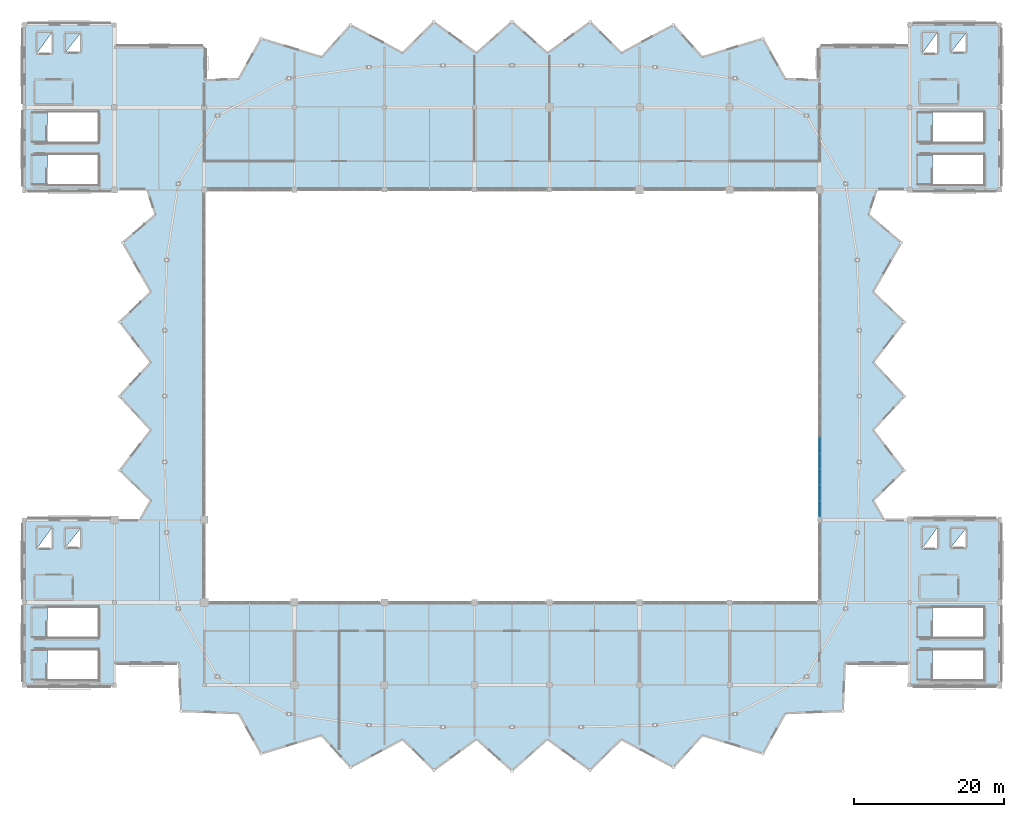
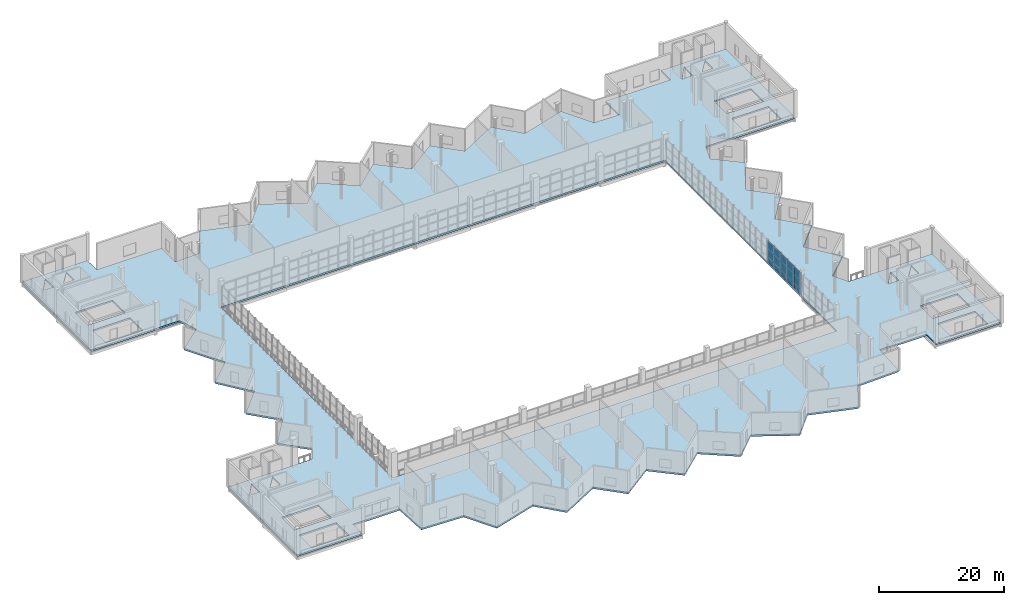
# One storey, part 32 of 49: 15 plates, 1 slab, 1 element without a shape of its own.
"""IFC4 building model written with IfcOpenShell, lengths in metres."""

from ifc_helpers import new_model, si_unit, direction, frame, origin, origin_2d, place, context, subcontext, project, spatial, polyline, rectangle, outline, extrude, material, layer, layer_set, type_object, element, aggregate, save


model = new_model("IFC4")

# Units and contexts
model_context = context("Model", 3, precision=1e-05, world=origin(), true_north=direction((0.0, 1.0)))
body_context = subcontext(model_context, "Body", "Model", "MODEL_VIEW")
ifc_project = project(units=[si_unit("LENGTHUNIT", "METRE"), si_unit("AREAUNIT", "SQUARE_METRE"), si_unit("VOLUMEUNIT", "CUBIC_METRE"), si_unit("PLANEANGLEUNIT", "RADIAN"), si_unit("MASSUNIT", "GRAM", prefix="KILO")], contexts=[model_context])

# Site, building, storey
site_placement = place(None, origin())
site = spatial("IfcSite", under=ifc_project, at=site_placement, CompositionType="ELEMENT")
building_placement = place(site_placement, origin())
building = spatial("IfcBuilding", under=site, at=building_placement, Name="Luwafu Chhajja Arena", CompositionType="ELEMENT")
storey_placement = place(building_placement, frame((0.0, 0.0, 24.300048828125)))
storey = spatial("IfcBuildingStorey", under=building, at=storey_placement, Name="L05", CompositionType="ELEMENT", Elevation=24.300048828125)

# Curtain wall, plates
ifc_material_1 = material(Name="Anodised bronze aluminium", Category="aluminium")
curtain_wall_type = type_object("IfcCurtainWallType", Name="VIP Club Terrace Curtain Wall", PredefinedType="USERDEFINED", material=ifc_material_1)
curtain_wall_placement = place(storey_placement, origin())
curtain_wall = element("IfcCurtainWall", 1, at=curtain_wall_placement, inside=storey, type_object=curtain_wall_type, Name="L05 Bowl Viewing Curtain Wall CWR-L05-21", ObjectType="CURTAIN WALL", PredefinedType="USERDEFINED")
ifc_material_2 = material(Name="Solar-control laminated glass", Category="glass")
ifc_layer_1 = layer(ifc_material_2, 0.035888671875, Name="Solar-control laminated glass")
ifc_layer_set_1 = layer_set([ifc_layer_1], Name="Solar-control laminated glass")
plate_type = type_object("IfcPlateType", Name="Acoustic Broadcast Double Glazed CW Panel 36", PredefinedType="CURTAIN_PANEL", material=ifc_layer_set_1)
plate_1_placement = place(storey_placement, frame((140.0, 34.51220703125, 0.06494140625), z_axis=(0.0, 0.0, 1.0), x_axis=(0.0, 1.0, 0.0)))
plate_1 = element("IfcPlate", 2, at=plate_1_placement, type_object=plate_type, Name="CW-10 panel 1.1", PredefinedType="CURTAIN_PANEL", context=body_context, shape_type="SweptSolid", body=[
    extrude(rectangle(XDim=2.014404296875, YDim=0.035888671875, at=origin_2d()), origin(), (0.0, 0.0, 1.0), 1.052490234375),
])
plate_2_placement = place(storey_placement, frame((140.0, 34.51220703125, 1.182373046875), z_axis=(0.0, 0.0, 1.0), x_axis=(0.0, 1.0, 0.0)))
plate_2 = element("IfcPlate", 3, at=plate_2_placement, type_object=plate_type, Name="CW-10 panel 1.2", PredefinedType="CURTAIN_PANEL", context=body_context, shape_type="SweptSolid", body=[
    extrude(rectangle(XDim=2.014404296875, YDim=0.035888671875, at=origin_2d()), origin(), (0.0, 0.0, 1.0), 1.5849609375),
])
plate_3_placement = place(storey_placement, frame((140.0, 34.51220703125, 2.83251953125), z_axis=(0.0, 0.0, 1.0), x_axis=(0.0, 1.0, 0.0)))
plate_3 = element("IfcPlate", 4, at=plate_3_placement, type_object=plate_type, Name="CW-10 panel 1.3", PredefinedType="CURTAIN_PANEL", context=body_context, shape_type="SweptSolid", body=[
    extrude(rectangle(XDim=2.014404296875, YDim=0.035888671875, at=origin_2d()), origin(), (0.0, 0.0, 1.0), 1.552490234375),
])
plate_4_placement = place(storey_placement, frame((140.0, 36.60791015625, 0.06494140625), z_axis=(0.0, 0.0, 1.0), x_axis=(0.0, 1.0, 0.0)))
plate_4 = element("IfcPlate", 5, at=plate_4_placement, type_object=plate_type, Name="CW-10 panel 2.1", PredefinedType="CURTAIN_PANEL", context=body_context, shape_type="SweptSolid", body=[
    extrude(rectangle(XDim=2.047119140625, YDim=0.035888671875, at=origin_2d()), origin(), (0.0, 0.0, 1.0), 1.052490234375),
])
plate_5_placement = place(storey_placement, frame((140.0, 36.60791015625, 1.182373046875), z_axis=(0.0, 0.0, 1.0), x_axis=(0.0, 1.0, 0.0)))
plate_5 = element("IfcPlate", 6, at=plate_5_placement, type_object=plate_type, Name="CW-10 panel 2.2", PredefinedType="CURTAIN_PANEL", context=body_context, shape_type="SweptSolid", body=[
    extrude(rectangle(XDim=2.047119140625, YDim=0.035888671875, at=origin_2d()), origin(), (0.0, 0.0, 1.0), 1.5849609375),
])
plate_6_placement = place(storey_placement, frame((140.0, 36.60791015625, 2.83251953125), z_axis=(0.0, 0.0, 1.0), x_axis=(0.0, 1.0, 0.0)))
plate_6 = element("IfcPlate", 7, at=plate_6_placement, type_object=plate_type, Name="CW-10 panel 2.3", PredefinedType="CURTAIN_PANEL", context=body_context, shape_type="SweptSolid", body=[
    extrude(rectangle(XDim=2.047119140625, YDim=0.035888671875, at=origin_2d()), origin(), (0.0, 0.0, 1.0), 1.552490234375),
])
plate_7_placement = place(storey_placement, frame((140.0, 38.719970703125, 0.06494140625), z_axis=(0.0, 0.0, 1.0), x_axis=(0.0, 1.0, 0.0)))
plate_7 = element("IfcPlate", 8, at=plate_7_placement, type_object=plate_type, Name="CW-10 panel 3.1", PredefinedType="CURTAIN_PANEL", context=body_context, shape_type="SweptSolid", body=[
    extrude(rectangle(XDim=2.047119140625, YDim=0.035888671875, at=origin_2d()), origin(), (0.0, 0.0, 1.0), 1.052490234375),
])
plate_8_placement = place(storey_placement, frame((140.0, 38.719970703125, 1.182373046875), z_axis=(0.0, 0.0, 1.0), x_axis=(0.0, 1.0, 0.0)))
plate_8 = element("IfcPlate", 9, at=plate_8_placement, type_object=plate_type, Name="CW-10 panel 3.2", PredefinedType="CURTAIN_PANEL", context=body_context, shape_type="SweptSolid", body=[
    extrude(rectangle(XDim=2.047119140625, YDim=0.035888671875, at=origin_2d()), origin(), (0.0, 0.0, 1.0), 1.5849609375),
])
plate_9_placement = place(storey_placement, frame((140.0, 38.719970703125, 2.83251953125), z_axis=(0.0, 0.0, 1.0), x_axis=(0.0, 1.0, 0.0)))
plate_9 = element("IfcPlate", 10, at=plate_9_placement, type_object=plate_type, Name="CW-10 panel 3.3", PredefinedType="CURTAIN_PANEL", context=body_context, shape_type="SweptSolid", body=[
    extrude(rectangle(XDim=2.047119140625, YDim=0.035888671875, at=origin_2d()), origin(), (0.0, 0.0, 1.0), 1.552490234375),
])
plate_10_placement = place(storey_placement, frame((140.0, 40.83203125, 0.06494140625), z_axis=(0.0, 0.0, 1.0), x_axis=(0.0, 1.0, 0.0)))
plate_10 = element("IfcPlate", 11, at=plate_10_placement, type_object=plate_type, Name="CW-10 panel 4.1", PredefinedType="CURTAIN_PANEL", context=body_context, shape_type="SweptSolid", body=[
    extrude(rectangle(XDim=2.047119140625, YDim=0.035888671875, at=origin_2d()), origin(), (0.0, 0.0, 1.0), 1.052490234375),
])
plate_11_placement = place(storey_placement, frame((140.0, 40.83203125, 1.182373046875), z_axis=(0.0, 0.0, 1.0), x_axis=(0.0, 1.0, 0.0)))
plate_11 = element("IfcPlate", 12, at=plate_11_placement, type_object=plate_type, Name="CW-10 panel 4.2", PredefinedType="CURTAIN_PANEL", context=body_context, shape_type="SweptSolid", body=[
    extrude(rectangle(XDim=2.047119140625, YDim=0.035888671875, at=origin_2d()), origin(), (0.0, 0.0, 1.0), 1.5849609375),
])
plate_12_placement = place(storey_placement, frame((140.0, 40.83203125, 2.83251953125), z_axis=(0.0, 0.0, 1.0), x_axis=(0.0, 1.0, 0.0)))
plate_12 = element("IfcPlate", 13, at=plate_12_placement, type_object=plate_type, Name="CW-10 panel 4.3", PredefinedType="CURTAIN_PANEL", context=body_context, shape_type="SweptSolid", body=[
    extrude(rectangle(XDim=2.047119140625, YDim=0.035888671875, at=origin_2d()), origin(), (0.0, 0.0, 1.0), 1.552490234375),
])
plate_13_placement = place(storey_placement, frame((140.0, 42.927734375, 0.06494140625), z_axis=(0.0, 0.0, 1.0), x_axis=(0.0, 1.0, 0.0)))
plate_13 = element("IfcPlate", 14, at=plate_13_placement, type_object=plate_type, Name="CW-10 panel 5.1", PredefinedType="CURTAIN_PANEL", context=body_context, shape_type="SweptSolid", body=[
    extrude(rectangle(XDim=2.014404296875, YDim=0.035888671875, at=origin_2d()), origin(), (0.0, 0.0, 1.0), 1.052490234375),
])
plate_14_placement = place(storey_placement, frame((140.0, 42.927734375, 1.182373046875), z_axis=(0.0, 0.0, 1.0), x_axis=(0.0, 1.0, 0.0)))
plate_14 = element("IfcPlate", 15, at=plate_14_placement, type_object=plate_type, Name="CW-10 panel 5.2", PredefinedType="CURTAIN_PANEL", context=body_context, shape_type="SweptSolid", body=[
    extrude(rectangle(XDim=2.014404296875, YDim=0.035888671875, at=origin_2d()), origin(), (0.0, 0.0, 1.0), 1.5849609375),
])
plate_15_placement = place(storey_placement, frame((140.0, 42.927734375, 2.83251953125), z_axis=(0.0, 0.0, 1.0), x_axis=(0.0, 1.0, 0.0)))
plate_15 = element("IfcPlate", 16, at=plate_15_placement, type_object=plate_type, Name="CW-10 panel 5.3", PredefinedType="CURTAIN_PANEL", context=body_context, shape_type="SweptSolid", body=[
    extrude(rectangle(XDim=2.014404296875, YDim=0.035888671875, at=origin_2d()), origin(), (0.0, 0.0, 1.0), 1.552490234375),
])
aggregate(curtain_wall, [plate_1, plate_2, plate_3, plate_4, plate_5, plate_6, plate_7, plate_8, plate_9, plate_10, plate_11, plate_12, plate_13, plate_14, plate_15])

# Slab
ifc_material_3 = material(Name="Concrete C35/45", Category="concrete")
ifc_layer_2 = layer(ifc_material_3, 0.320068359375, Name="Concrete C35/45")
ifc_layer_set_2 = layer_set([ifc_layer_2], Name="Concrete C35/45")
slab_type = type_object("IfcSlabType", Name="Technical Gallery Floor Slab 320", PredefinedType="FLOOR", material=ifc_layer_set_2)
slab_placement = place(storey_placement, frame((0.0, 0.0, -0.320068359375)))
element("IfcSlab", 17, at=slab_placement, inside=storey, type_object=slab_type, Name="L05 Structural Floor Slab 1", PredefinedType="FLOOR", context=body_context, shape_type="SweptSolid", body=[
    extrude(outline(polyline([(46.0, 96.0), (58.0, 96.0), (58.0, 91.592041015625), (62.573974609375, 91.762939453125), (65.572998046875, 97.135986328125), (73.635986328125, 94.68408203125), (77.489013671875, 98.948974609375), (84.43310546875, 95.22412109375), (88.587890625, 99.343017578125), (94.27197265625, 95.2099609375), (99.0, 99.39990234375), (103.72802734375, 95.2099609375), (109.412109375, 99.343017578125), (113.56689453125, 95.22412109375), (120.510986328125, 98.948974609375), (124.364013671875, 94.68408203125), (132.427978515625, 97.135986328125), (135.426025390625, 91.762939453125), (140.0, 91.592041015625), (140.0, 96.0), (152.0, 96.0), (152.0, 99.0), (164.0, 99.0), (164.0, 77.0), (147.587890625, 77.0), (146.50390625, 73.677978515625), (150.863037109375, 69.955078125), (147.10302734375, 63.39404296875), (151.25, 59.39599609375), (147.10791015625, 54.011962890625), (151.300048828125, 49.5), (147.10791015625, 44.988037109375), (151.25, 39.60400390625), (147.10302734375, 35.60595703125), (148.595947265625, 33.0), (164.0, 33.0), (164.0, 11.0), (152.0, 11.0), (152.0, 14.0), (143.365966796875, 14.0), (143.083984375, 7.52392578125), (135.426025390625, 7.237060546875), (132.427978515625, 1.864013671875), (124.364013671875, 4.31591796875), (120.510986328125, 0.051025390625), (113.56689453125, 3.77587890625), (109.412109375, -0.343017578125), (103.72802734375, 3.7900390625), (99.0, -0.39990234375), (94.27197265625, 3.7900390625), (88.587890625, -0.343017578125), (84.43310546875, 3.77587890625), (77.489013671875, 0.051025390625), (73.635986328125, 4.31591796875), (65.572998046875, 1.864013671875), (62.573974609375, 7.237060546875), (54.916015625, 7.52392578125), (54.634033203125, 14.0), (46.0, 14.0), (46.0, 11.0), (34.0, 11.0), (34.0, 33.0), (49.404052734375, 33.0), (50.89697265625, 35.60595703125), (46.75, 39.60400390625), (50.89208984375, 44.988037109375), (46.699951171875, 49.5), (50.89208984375, 54.011962890625), (46.75, 59.39599609375), (50.89697265625, 63.39404296875), (47.136962890625, 69.955078125), (51.49609375, 73.677978515625), (50.412109375, 77.0), (34.0, 77.0), (34.0, 99.0), (46.0, 99.0), (46.0, 96.0)]), holes=[polyline([(161.89990234375, 83.31005859375), (161.89990234375, 87.35009765625), (155.06494140625, 87.35009765625), (155.06494140625, 83.31005859375), (161.89990234375, 83.31005859375)]), polyline([(161.89990234375, 81.68994140625), (155.06494140625, 81.68994140625), (155.06494140625, 77.64990234375), (161.89990234375, 77.64990234375), (161.89990234375, 81.68994140625)]), polyline([(161.89990234375, 17.31005859375), (161.89990234375, 21.35009765625), (155.06494140625, 21.35009765625), (155.06494140625, 17.31005859375), (161.89990234375, 17.31005859375)]), polyline([(161.89990234375, 15.68994140625), (155.06494140625, 15.68994140625), (155.06494140625, 11.64990234375), (161.89990234375, 11.64990234375), (161.89990234375, 15.68994140625)]), polyline([(159.469970703125, 95.3798828125), (159.469970703125, 97.820068359375), (157.530029296875, 95.3798828125), (159.469970703125, 95.3798828125)]), polyline([(159.469970703125, 31.820068359375), (157.530029296875, 29.3798828125), (159.469970703125, 29.3798828125), (159.469970703125, 31.820068359375)]), polyline([(155.669921875, 97.945068359375), (153.72998046875, 95.2548828125), (155.669921875, 95.2548828125), (155.669921875, 97.945068359375)]), polyline([(153.72998046875, 29.2548828125), (155.669921875, 29.2548828125), (155.669921875, 31.945068359375), (153.72998046875, 29.2548828125)]), polyline([(58.0, 77.0), (58.0, 22.0), (140.0, 22.0), (140.0, 77.0), (58.0, 77.0)]), polyline([(37.06494140625, 11.64990234375), (43.89990234375, 11.64990234375), (43.89990234375, 15.68994140625), (37.06494140625, 15.68994140625), (37.06494140625, 11.64990234375)]), polyline([(37.06494140625, 87.35009765625), (37.06494140625, 83.31005859375), (43.89990234375, 83.31005859375), (43.89990234375, 87.35009765625), (37.06494140625, 87.35009765625)]), polyline([(37.06494140625, 77.64990234375), (43.89990234375, 77.64990234375), (43.89990234375, 81.68994140625), (37.06494140625, 81.68994140625), (37.06494140625, 77.64990234375)]), polyline([(37.06494140625, 21.35009765625), (37.06494140625, 17.31005859375), (43.89990234375, 17.31005859375), (43.89990234375, 21.35009765625), (37.06494140625, 21.35009765625)]), polyline([(41.469970703125, 29.3798828125), (41.469970703125, 31.820068359375), (39.530029296875, 29.3798828125), (41.469970703125, 29.3798828125)]), polyline([(39.530029296875, 95.3798828125), (41.469970703125, 95.3798828125), (41.469970703125, 97.820068359375), (39.530029296875, 95.3798828125)]), polyline([(37.669921875, 95.2548828125), (37.669921875, 97.945068359375), (35.72998046875, 95.2548828125), (37.669921875, 95.2548828125)]), polyline([(37.669921875, 31.945068359375), (35.72998046875, 29.2548828125), (37.669921875, 29.2548828125), (37.669921875, 31.945068359375)])]), origin(), (0.0, 0.0, 1.0), 0.320068359375),
])

save(model, "model.ifc")
